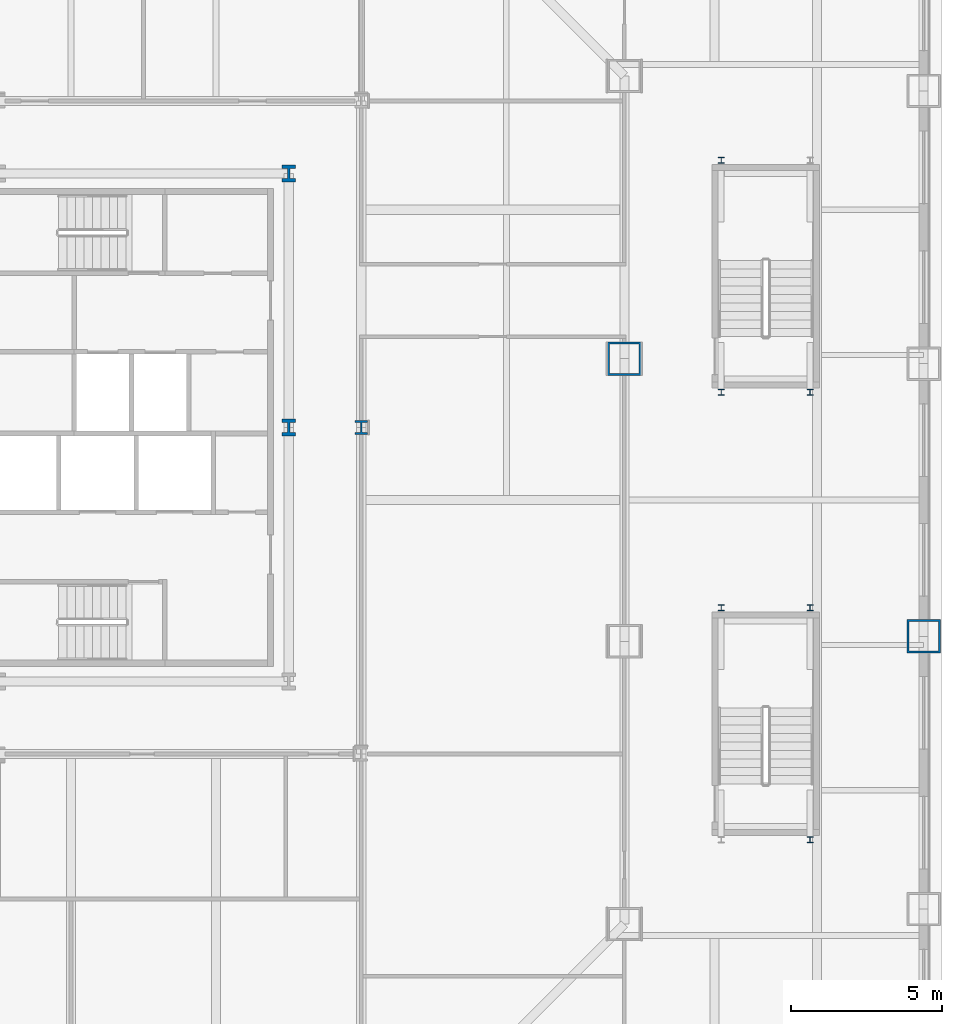
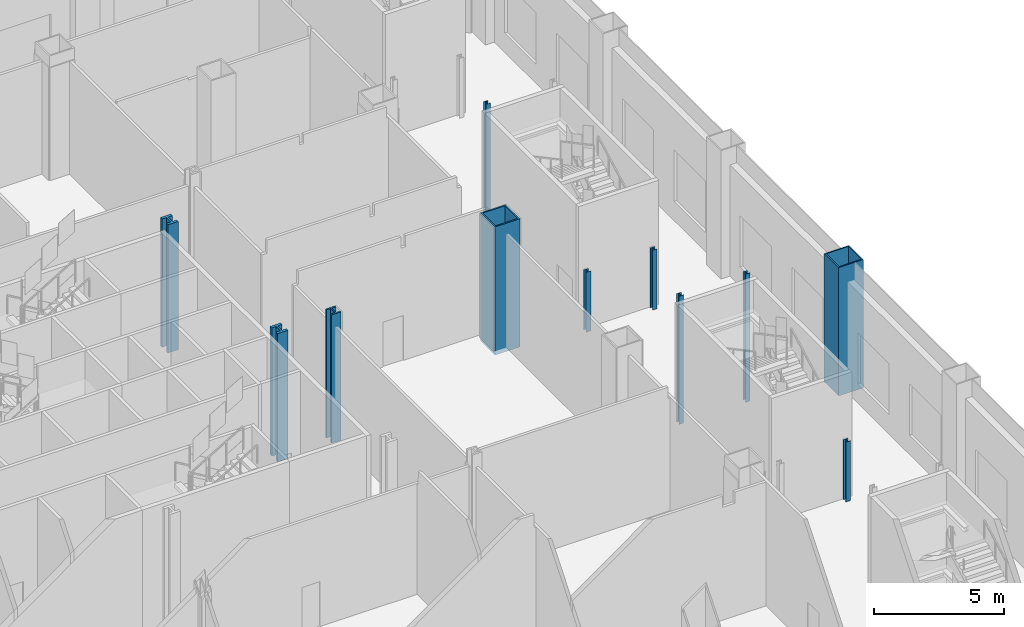
# One storey, part 6 of 31: 11 columns.
"""IFC4 building model written with IfcOpenShell, lengths in metres."""

import ifcopenshell
import ifcopenshell.guid

model = None  # the IFC model being written
_history = None  # IfcOwnerHistory: only IFC2X3 demands one
_inside = {}  # id of a spatial element -> (the spatial element, [elements in it])
_under = {}  # id of a project, library or spatial element -> (it, [spatial elements below it])
_declared = {}  # id of a project -> (the project, [libraries it declares])
_typed = {}  # id of a type object -> (the type object, [elements of that type])
_made_of = {}  # id of a material, layer set ... -> (it, [elements and type objects made of it])


def new_model(schema):
    """Start an empty IFC model of exactly this schema.

    Asked for "IFC4X3", IfcOpenShell would pick the latest addendum, in which some entities
    have other attributes; the version numbers below select the first issue.
    IFC2X3 requires an IfcOwnerHistory on every rooted entity: one is made here for all.
    """
    global model, _history
    if schema == "IFC4X3":
        model = ifcopenshell.file(schema_version=(4, 3, 0, 0))
    else:
        model = ifcopenshell.file(schema=schema)
    _inside.clear()
    _under.clear()
    _declared.clear()
    _typed.clear()
    _made_of.clear()
    _history = None
    if model.schema == "IFC2X3":
        org = make("IfcOrganization", Name="unknown")
        user = make(
            "IfcPersonAndOrganization",
            ThePerson=make("IfcPerson", FamilyName="unknown"),
            TheOrganization=org,
        )
        app = make(
            "IfcApplication",
            ApplicationDeveloper=org,
            Version="unknown",
            ApplicationFullName="unknown",
            ApplicationIdentifier="unknown",
        )
        _history = make(
            "IfcOwnerHistory",
            OwningUser=user,
            OwningApplication=app,
            ChangeAction="ADDED",
            CreationDate=0,
        )
    return model


def make(cls, **values):
    """One entity of the class cls with the attributes given. An attribute that is None is left unset."""
    return model.create_entity(
        cls, **{name: value for name, value in values.items() if value is not None}
    )


def rooted(cls, **values):
    """An entity with a GlobalId (a new one), such as an element, a storey or a relation."""
    return make(cls, GlobalId=ifcopenshell.guid.new(), OwnerHistory=_history, **values)


def si_unit(unit_type, name, prefix=None):
    """IfcSIUnit, for example si_unit("LENGTHUNIT", "METRE", prefix="MILLI")."""
    return make("IfcSIUnit", UnitType=unit_type, Prefix=prefix, Name=name)


def assignment(units):
    """IfcUnitAssignment: the units of a project."""
    return None if units is None else make("IfcUnitAssignment", Units=units)


def point(xyz):
    """IfcCartesianPoint."""
    return None if xyz is None else make("IfcCartesianPoint", Coordinates=xyz)


def direction(xyz):
    """IfcDirection."""
    return None if xyz is None else make("IfcDirection", DirectionRatios=xyz)


def frame(location, z_axis=None, x_axis=None):
    """IfcAxis2Placement3D, a coordinate frame: its origin and axes. An axis left out is left unset."""
    return make(
        "IfcAxis2Placement3D",
        Location=point(location),
        Axis=direction(z_axis),
        RefDirection=direction(x_axis),
    )


def frame_2d(location, x_axis=None):
    """IfcAxis2Placement2D, a coordinate frame in the plane: its origin and x axis."""
    return make(
        "IfcAxis2Placement2D", Location=point(location), RefDirection=direction(x_axis)
    )


def origin():
    """The frame at (0, 0, 0) with its axes left unset."""
    return frame((0.0, 0.0, 0.0))


def origin_2d():
    """The frame at (0, 0) in the plane with its x axis left unset."""
    return frame_2d((0.0, 0.0))


def place(relative_to, where):
    """IfcLocalPlacement: puts the frame where relative to a parent placement (None: the world)."""
    return make(
        "IfcLocalPlacement", PlacementRelTo=relative_to, RelativePlacement=where
    )


def context(
    kind, dimensions, precision=None, world=None, true_north=None, identifier=None
):
    """IfcGeometricRepresentationContext, for example the 3D "Model" context."""
    return make(
        "IfcGeometricRepresentationContext",
        ContextIdentifier=identifier,
        ContextType=kind,
        CoordinateSpaceDimension=dimensions,
        Precision=precision,
        WorldCoordinateSystem=world,
        TrueNorth=true_north,
    )


def subcontext(parent, identifier, kind, view, scale=None):
    """IfcGeometricRepresentationSubContext, for example "Body" below "Model"."""
    return make(
        "IfcGeometricRepresentationSubContext",
        ContextIdentifier=identifier,
        ContextType=kind,
        ParentContext=parent,
        TargetScale=scale,
        TargetView=view,
    )


def project(units=None, contexts=None):
    """IfcProject with its units and contexts."""
    return rooted(
        "IfcProject",
        Name="project",
        RepresentationContexts=contexts,
        UnitsInContext=assignment(units),
    )


def spatial(cls, under=None, at=None, **own):
    """A site, building, storey or space (cls), placed at a placement, below another one or the project."""
    s = rooted(cls, ObjectPlacement=at, **own)
    if under is not None:
        _under.setdefault(under.id(), (under, []))[1].append(s)
    return s


def profile(cls, at=None, kind="AREA", **sizes):
    """A parametric profile (cls). Its sizes go by their IFC names, for example OverallWidth=200.0."""
    return make(cls, ProfileType=kind, Position=at, **sizes)


def hollow_rectangle(**sizes):
    """IfcRectangleHollowProfileDef."""
    return profile("IfcRectangleHollowProfileDef", **sizes)


def i_section(**sizes):
    """IfcIShapeProfileDef."""
    return profile("IfcIShapeProfileDef", **sizes)


def extrude(swept, where, along, depth):
    """IfcExtrudedAreaSolid: the profile swept, set in the frame where, extruded along a direction by depth."""
    return make(
        "IfcExtrudedAreaSolid",
        SweptArea=swept,
        Position=where,
        ExtrudedDirection=direction(along),
        Depth=depth,
    )


def shape(context_of_items, identifier, shape_type, items):
    """IfcShapeRepresentation: the items that make up one representation, for example the "Body"."""
    return make(
        "IfcShapeRepresentation",
        ContextOfItems=context_of_items,
        RepresentationIdentifier=identifier,
        RepresentationType=shape_type,
        Items=items,
    )


def material(Name=None, Category=None):
    """IfcMaterial."""
    return make("IfcMaterial", Name=Name, Category=Category)


def material_profile(
    of_material, cross_section, Name=None, Category=None, Priority=None
):
    """IfcMaterialProfile: a cross section and its material."""
    return make(
        "IfcMaterialProfile",
        Name=Name,
        Material=of_material,
        Profile=cross_section,
        Priority=Priority,
        Category=Category,
    )


def profile_set(profiles, Name=None, composite=None):
    """IfcMaterialProfileSet."""
    return make(
        "IfcMaterialProfileSet",
        Name=Name,
        MaterialProfiles=profiles,
        CompositeProfile=composite,
    )


def made_of(thing, what):
    """Note that an element or type object is made of a material, layer set ...; save() writes the relation."""
    if what is not None:
        _made_of.setdefault(what.id(), (what, []))[1].append(thing)
    return thing


def type_object(cls, material=None, **own):
    """A type object (cls), such as IfcWallType, which elements share."""
    return made_of(rooted(cls, **own), material)


def element(
    cls,
    number,
    at=None,
    inside=None,
    cuts=None,
    type_object=None,
    material=None,
    context=None,
    identifier="Body",
    shape_type=None,
    held_by="IfcProductDefinitionShape",
    body=None,
    shapes=None,
    **own,
):
    """One element of the class cls, such as IfcWall. Its Tag is "e" and its number.

    at: its placement. inside: the storey or other place that contains it. cuts: it is an
    opening in that element (IfcRelVoidsElement). A single representation is given by context,
    identifier, shape_type and body (its items); several are given by shapes. held_by: the class
    of the entity that holds the representations. save() writes the other relations.
    """
    e = rooted(cls, Tag="e%d" % number, ObjectPlacement=at, **own)
    if body is not None:
        shapes = [shape(context, identifier, shape_type, body)]
    if shapes is not None:
        e.Representation = make(held_by, Representations=shapes)
    if inside is not None:
        _inside.setdefault(inside.id(), (inside, []))[1].append(e)
    if cuts is not None:
        rooted(
            "IfcRelVoidsElement", RelatingBuildingElement=cuts, RelatedOpeningElement=e
        )
    if type_object is not None:
        _typed.setdefault(type_object.id(), (type_object, []))[1].append(e)
    return made_of(e, material)


def aggregate(whole, parts):
    """IfcRelAggregates: a whole, such as a stair, and the parts it consists of."""
    return rooted("IfcRelAggregates", RelatingObject=whole, RelatedObjects=parts)


def save(model, path):
    """Write the relations noted so far, then the file.

    IfcRelAggregates (storeys below a building ...), IfcRelContainedInSpatialStructure (elements
    in a storey), IfcRelDefinesByType, IfcRelAssociatesMaterial and IfcRelDeclares: one each for
    every whole, place, type object, material and project.
    """
    for whole, parts in _under.values():
        aggregate(whole, parts)
    for where, things in _inside.values():
        rooted(
            "IfcRelContainedInSpatialStructure",
            RelatedElements=things,
            RelatingStructure=where,
        )
    for kind, things in _typed.values():
        rooted("IfcRelDefinesByType", RelatedObjects=things, RelatingType=kind)
    for what, things in _made_of.values():
        rooted("IfcRelAssociatesMaterial", RelatedObjects=things, RelatingMaterial=what)
    for by, libraries in _declared.values():
        rooted("IfcRelDeclares", RelatingContext=by, RelatedDefinitions=libraries)
    model.write(path)


model = new_model("IFC4")

# Units and contexts
model_context = context("Model", 3, precision=1e-05, world=origin(), true_north=direction((0.0, 1.0)))
body_context = subcontext(model_context, "Body", "Model", "MODEL_VIEW")
ifc_project = project(units=[si_unit("LENGTHUNIT", "METRE"), si_unit("AREAUNIT", "SQUARE_METRE"), si_unit("VOLUMEUNIT", "CUBIC_METRE"), si_unit("PLANEANGLEUNIT", "RADIAN"), si_unit("MASSUNIT", "GRAM", prefix="KILO")], contexts=[model_context])

# Site, building, storey
site_placement = place(None, origin())
site = spatial("IfcSite", under=ifc_project, at=site_placement, CompositionType="ELEMENT")
building_placement = place(site_placement, origin())
building = spatial("IfcBuilding", under=site, at=building_placement, Name="Cairn Pilgrim Tower", CompositionType="ELEMENT")
storey_placement = place(building_placement, frame((0.0, 0.0, 15.0)))
storey = spatial("IfcBuildingStorey", under=building, at=storey_placement, Name="L02", CompositionType="ELEMENT", Elevation=15.0)

# Columns
ifc_material_1 = material(Name="Structural steel S460M", Category="steel")
ifc_material_profile_1 = material_profile(ifc_material_1, hollow_rectangle(XDim=1.10009765625, YDim=1.10009765625, WallThickness=0.06005859375, at=origin_2d()), Name="BOX 1100x1100x60")
ifc_profile_set_1 = profile_set([ifc_material_profile_1], Name="Structural steel S460M")
column_type_1 = type_object("IfcColumnType", Name="BOX 1100x1100x60", PredefinedType="COLUMN", material=ifc_profile_set_1)
column_1_placement = place(storey_placement, frame((27.89990234375, 4.67578125, -0.199951171875), z_axis=(0.0, 0.0, 1.0), x_axis=(1.0, 0.0, 0.0)))
element("IfcColumn", 1, at=column_1_placement, inside=storey, type_object=column_type_1, Name="PC1-E3", PredefinedType="COLUMN", context=body_context, shape_type="SweptSolid", body=[
    extrude(hollow_rectangle(XDim=1.10009765625, YDim=1.10009765625, WallThickness=0.06005859375, at=origin_2d()), origin(), (0.0, 0.0, 1.0), 6.0),
])
ifc_material_profile_2 = material_profile(ifc_material_1, i_section(OverallWidth=0.4541015625, OverallDepth=0.569091796875, WebThickness=0.077880859375, FlangeThickness=0.125, FilletRadius=0.014892578125, at=origin_2d()), Name="HD 400x1086")
ifc_profile_set_2 = profile_set([ifc_material_profile_2], Name="Structural steel S460M")
column_type_2 = type_object("IfcColumnType", Name="HD 400x1086", PredefinedType="COLUMN", material=ifc_profile_set_2)
for number, where, z_axis, x_axis, name in (
    (2, (16.800048828125, 2.39990234375, -0.199951171875), (0.0, 0.0, 1.0), (1.0, 0.0, 0.0), "KC-5"),
    (3, (16.800048828125, 10.800048828125, -0.199951171875), (0.0, 0.0, 1.0), (1.0, 0.0, 0.0), "KC-8"),
):
    element("IfcColumn", number, at=place(storey_placement, frame(where, z_axis=z_axis, x_axis=x_axis)), inside=storey, type_object=column_type_2, Name=name, PredefinedType="COLUMN", context=body_context, shape_type="SweptSolid", body=[
        extrude(i_section(OverallWidth=0.4541015625, OverallDepth=0.569091796875, WebThickness=0.077880859375, FlangeThickness=0.125, FilletRadius=0.014892578125, at=origin_2d()), origin(), (0.0, 0.0, 1.0), 6.0),
    ])
ifc_material_profile_3 = material_profile(ifc_material_1, i_section(OverallWidth=0.424072265625, OverallDepth=0.47412109375, WebThickness=0.047607421875, FlangeThickness=0.0771484375, FilletRadius=0.014892578125, at=origin_2d()), Name="HD 400x634")
ifc_profile_set_3 = profile_set([ifc_material_profile_3], Name="Structural steel S460M")
column_type_3 = type_object("IfcColumnType", Name="HD 400x634", PredefinedType="COLUMN", material=ifc_profile_set_3)
column_2_placement = place(storey_placement, frame((19.199951171875, 2.39990234375, -0.199951171875), z_axis=(0.0, 0.0, 1.0), x_axis=(1.0, 0.0, 0.0)))
element("IfcColumn", 4, at=column_2_placement, inside=storey, type_object=column_type_3, Name="IC-5", PredefinedType="COLUMN", context=body_context, shape_type="SweptSolid", body=[
    extrude(i_section(OverallWidth=0.424072265625, OverallDepth=0.47412109375, WebThickness=0.047607421875, FlangeThickness=0.0771484375, FilletRadius=0.014892578125, at=origin_2d()), origin(), (0.0, 0.0, 1.0), 6.0),
])
ifc_material_profile_4 = material_profile(ifc_material_1, hollow_rectangle(XDim=1.10009765625, YDim=1.10009765625, WallThickness=0.06005859375, at=origin_2d()), Name="BOX 1100x1100x60")
ifc_profile_set_4 = profile_set([ifc_material_profile_4], Name="Structural steel S460M")
column_type_4 = type_object("IfcColumnType", Name="PILOTIS CFT 1100", PredefinedType="COLUMN", material=ifc_profile_set_4)
column_3_placement = place(storey_placement, frame((37.800048828125, -4.51025390625, 0.0), z_axis=(0.0, 0.0, 1.0), x_axis=(1.0, 0.0, 0.0)))
element("IfcColumn", 5, at=column_3_placement, inside=storey, type_object=column_type_4, Name="PILOTIS PL-E3", PredefinedType="COLUMN", context=body_context, shape_type="SweptSolid", body=[
    extrude(hollow_rectangle(XDim=1.10009765625, YDim=1.10009765625, WallThickness=0.06005859375, at=origin_2d()), origin(), (0.0, 0.0, 1.0), 6.0),
])
ifc_material_2 = material(Name="Structural steel S355J2", Category="steel")
ifc_material_profile_5 = material_profile(ifc_material_2, i_section(OverallWidth=0.199951171875, OverallDepth=0.199951171875, WebThickness=0.009033203125, FlangeThickness=0.014892578125, FilletRadius=0.01806640625, at=origin_2d()), Name="HE 200 B")
ifc_profile_set_5 = profile_set([ifc_material_profile_5], Name="Structural steel S355J2")
column_type_5 = type_object("IfcColumnType", Name="STAIR POST HE 200 B", PredefinedType="COLUMN", material=ifc_profile_set_5)
for number, where, z_axis, x_axis, name in (
    (6, (31.10498046875, -3.56005859375, 0.0), (0.0, 0.0, 1.0), (1.0, 0.0, 0.0), "STAIR POST LP-ES2-NA"),
    (7, (34.044921875, -3.56005859375, 0.0), (0.0, 0.0, 1.0), (1.0, 0.0, 0.0), "STAIR POST LP-ES2-NB"),
):
    element("IfcColumn", number, at=place(storey_placement, frame(where, z_axis=z_axis, x_axis=x_axis)), inside=storey, type_object=column_type_5, Name=name, PredefinedType="COLUMN", context=body_context, shape_type="SweptSolid", body=[
        extrude(i_section(OverallWidth=0.199951171875, OverallDepth=0.199951171875, WebThickness=0.009033203125, FlangeThickness=0.014892578125, FilletRadius=0.01806640625, at=origin_2d()), origin(), (0.0, 0.0, 1.0), 6.0),
    ])
column_4_placement = place(storey_placement, frame((34.044921875, -11.239990234375, 0.0), z_axis=(0.0, 0.0, 1.0), x_axis=(1.0, 0.0, 0.0)))
element("IfcColumn", 8, at=column_4_placement, inside=storey, type_object=column_type_5, Name="STAIR POST LP-ES2-SB", PredefinedType="COLUMN", context=body_context, shape_type="SweptSolid", body=[
    extrude(i_section(OverallWidth=0.199951171875, OverallDepth=0.199951171875, WebThickness=0.009033203125, FlangeThickness=0.014892578125, FilletRadius=0.01806640625, at=origin_2d()), origin(), (0.0, 0.0, 1.0), 2.800048828125),
])
column_5_placement = place(storey_placement, frame((31.10498046875, 11.239990234375, 0.0), z_axis=(0.0, 0.0, 1.0), x_axis=(1.0, 0.0, 0.0)))
element("IfcColumn", 9, at=column_5_placement, inside=storey, type_object=column_type_5, Name="STAIR POST LP-ES3-NA", PredefinedType="COLUMN", context=body_context, shape_type="SweptSolid", body=[
    extrude(i_section(OverallWidth=0.199951171875, OverallDepth=0.199951171875, WebThickness=0.009033203125, FlangeThickness=0.014892578125, FilletRadius=0.01806640625, at=origin_2d()), origin(), (0.0, 0.0, 1.0), 6.0),
])
for number, where, z_axis, x_axis, name in (
    (10, (31.10498046875, 3.56005859375, 0.0), (0.0, 0.0, 1.0), (1.0, 0.0, 0.0), "STAIR POST LP-ES3-SA"),
    (11, (34.044921875, 3.56005859375, 0.0), (0.0, 0.0, 1.0), (1.0, 0.0, 0.0), "STAIR POST LP-ES3-SB"),
):
    element("IfcColumn", number, at=place(storey_placement, frame(where, z_axis=z_axis, x_axis=x_axis)), inside=storey, type_object=column_type_5, Name=name, PredefinedType="COLUMN", context=body_context, shape_type="SweptSolid", body=[
        extrude(i_section(OverallWidth=0.199951171875, OverallDepth=0.199951171875, WebThickness=0.009033203125, FlangeThickness=0.014892578125, FilletRadius=0.01806640625, at=origin_2d()), origin(), (0.0, 0.0, 1.0), 2.800048828125),
    ])

save(model, "model.ifc")
